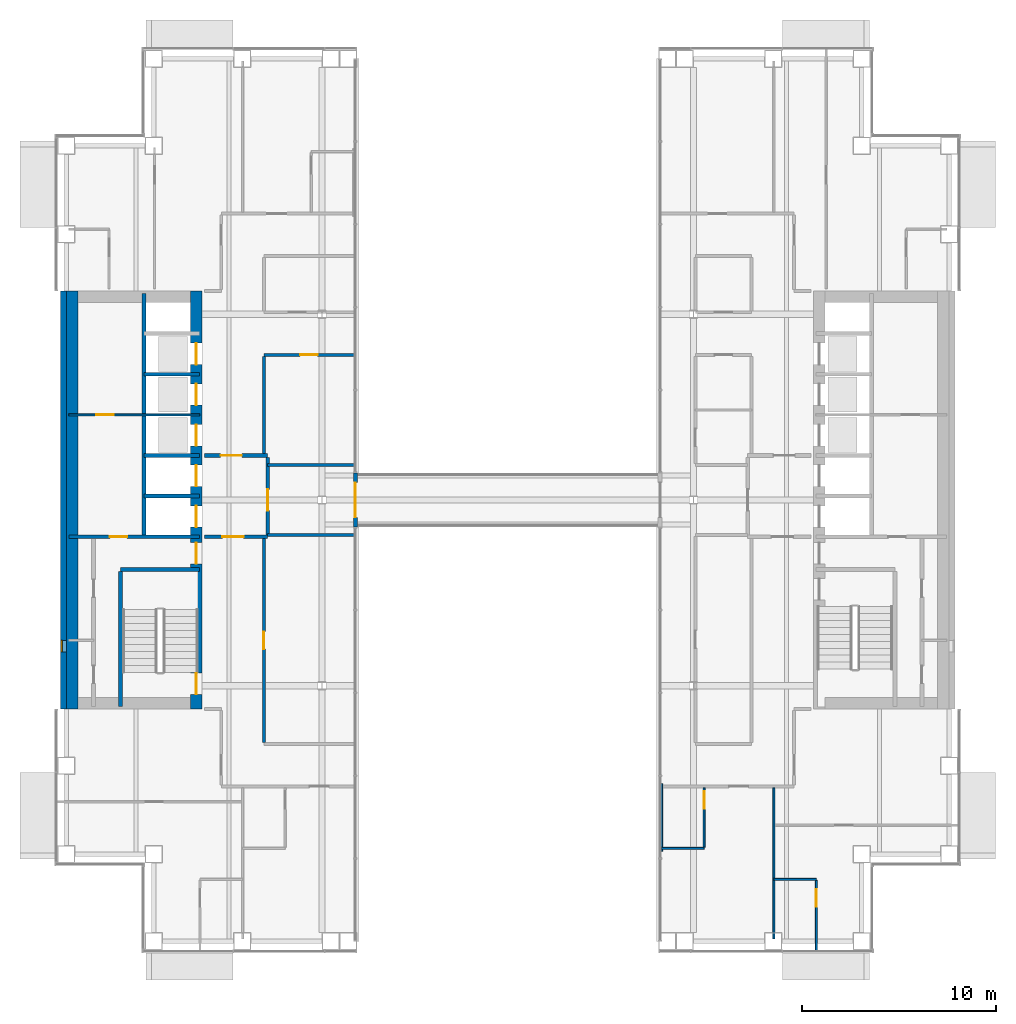
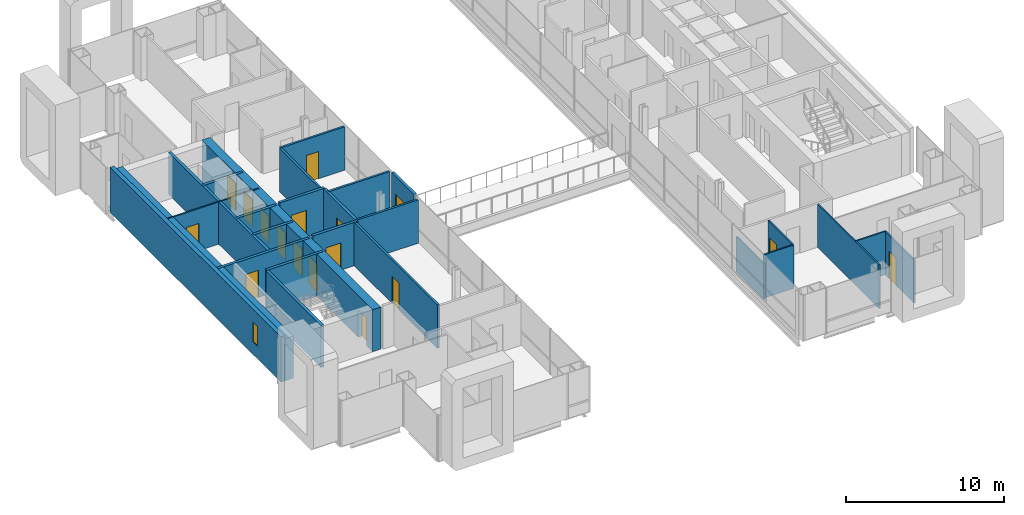
# One storey, part 10 of 17: 27 walls, 17 doors, 1 window, 18 openings.
"""IFC4 building model written with IfcOpenShell, lengths in metres."""

from ifc_helpers import new_model, si_unit, direction, frame, frame_2d, origin, place, context, subcontext, project, spatial, rectangle, extrude, material, layer, layer_set, type_object, element, fill, save


model = new_model("IFC4")

# Units and contexts
model_context = context("Model", 3, precision=1e-05, world=origin(), true_north=direction((0.0, 1.0)))
body_context = subcontext(model_context, "Body", "Model", "MODEL_VIEW")
ifc_project = project(units=[si_unit("LENGTHUNIT", "METRE"), si_unit("AREAUNIT", "SQUARE_METRE"), si_unit("VOLUMEUNIT", "CUBIC_METRE"), si_unit("PLANEANGLEUNIT", "RADIAN"), si_unit("MASSUNIT", "GRAM", prefix="KILO")], contexts=[model_context])

# Site, building, storey
site_placement = place(None, origin())
site = spatial("IfcSite", under=ifc_project, at=site_placement, CompositionType="ELEMENT")
building_placement = place(site_placement, origin())
building = spatial("IfcBuilding", under=site, at=building_placement, Name="Cobrizo Arcos Hotel Tower", CompositionType="ELEMENT")
storey_placement = place(building_placement, frame((0.0, 0.0, 131.0)))
storey = spatial("IfcBuildingStorey", under=building, at=storey_placement, Name="L33", CompositionType="ELEMENT", Elevation=131.0)

# Walls
ifc_material_1 = material(Name="Gypsum board partition")
ifc_layer_1 = layer(ifc_material_1, 0.14990234375)
ifc_layer_set_1 = layer_set([ifc_layer_1], Name="Corridor wall EI 60 150")
wall_type_1 = type_object("IfcWallType", Name="Corridor wall EI 60 150", PredefinedType="PARTITIONING", material=ifc_layer_set_1)
for number, where, z_axis, x_axis, name in (
    (1, (-12.39990234375, -1.800048828125, 0.0), (0.0, 0.0, 1.0), (1.0, 0.0, 0.0), "Partition 021"),
    (2, (-12.39990234375, 1.800048828125, 0.0), (0.0, 0.0, 1.0), (1.0, 0.0, 0.0), "Partition 025"),
):
    element("IfcWall", number, at=place(storey_placement, frame(where, z_axis=z_axis, x_axis=x_axis)), inside=storey, type_object=wall_type_1, Name=name, PredefinedType="PARTITIONING", context=body_context, shape_type="SweptSolid", body=[
        extrude(rectangle(XDim=4.47998046875, YDim=0.14990234375, at=frame_2d((2.239990234375, 0.0))), origin(), (0.0, 0.0, 1.0), 3.35009765625),
    ])

# Wall, opening, door
wall_1_placement = place(storey_placement, frame((-12.60009765625, 7.5, 0.0), z_axis=(0.0, 0.0, 1.0), x_axis=(1.0, 0.0, 0.0)))
wall_1 = element("IfcWall", 3, at=wall_1_placement, inside=storey, type_object=wall_type_1, Name="Partition 036", PredefinedType="PARTITIONING", context=body_context, shape_type="SweptSolid", body=[
    extrude(rectangle(XDim=4.68017578125, YDim=0.14990234375, at=frame_2d((2.340087890625, 0.0))), origin(), (0.0, 0.0, 1.0), 3.35009765625),
])
opening_1_placement = place(wall_1_placement, frame((1.875, 0.0, 0.0)))
opening_1 = element("IfcOpeningElement", 4, at=opening_1_placement, cuts=wall_1, Name="Opening RD-16", PredefinedType="OPENING", context=body_context, shape_type="SweptSolid", body=[
    extrude(rectangle(XDim=0.89990234375, YDim=2.10009765625, at=frame_2d((0.449951171875, 1.050048828125))), frame((0.0, 0.0869140625, 0.0), z_axis=(0.0, -1.0, 0.0), x_axis=(1.0, 0.0, 0.0)), (0.0, 0.0, 1.0), 0.173828125),
])
ifc_material_2 = material(Name="Timber door leaf", Category="wood")
door_type_1 = type_object("IfcDoorType", Name="Room door FD30 900x2100", OperationType="SINGLE_SWING_LEFT", PredefinedType="DOOR", material=ifc_material_2)
door_1_placement = place(opening_1_placement, origin())
door_1 = element("IfcDoor", 5, at=door_1_placement, inside=storey, type_object=door_type_1, Name="Door RD-16", OperationType="SINGLE_SWING_LEFT", OverallHeight=2.10009765625, OverallWidth=0.89990234375, PredefinedType="DOOR", context=body_context, shape_type="SweptSolid", body=[
    extrude(rectangle(XDim=0.89990234375, YDim=2.10009765625, at=frame_2d((0.449951171875, 1.050048828125))), frame((0.0, 0.02490234375, 0.0), z_axis=(0.0, -1.0, 0.0), x_axis=(1.0, 0.0, 0.0)), (0.0, 0.0, 1.0), 0.050048828125),
])
fill(opening_1, door_1)

wall_2_placement = place(storey_placement, frame((-12.60009765625, -12.52490234375, 0.0), z_axis=(0.0, 0.0, 1.0), x_axis=(0.0, 1.0, 0.0)))
wall_2 = element("IfcWall", 6, at=wall_2_placement, inside=storey, type_object=wall_type_1, Name="Partition 064", PredefinedType="PARTITIONING", context=body_context, shape_type="SweptSolid", body=[
    extrude(rectangle(XDim=10.52490234375, YDim=0.14990234375, at=frame_2d((5.262451171875, 0.0))), origin(), (0.0, 0.0, 1.0), 3.35009765625),
])
opening_2_placement = place(wall_2_placement, frame((4.824951171875, 0.0, 0.0)))
opening_2 = element("IfcOpeningElement", 7, at=opening_2_placement, cuts=wall_2, Name="Opening RD-18", PredefinedType="OPENING", context=body_context, shape_type="SweptSolid", body=[
    extrude(rectangle(XDim=0.89990234375, YDim=2.10009765625, at=frame_2d((0.449951171875, 1.050048828125))), frame((0.0, 0.0869140625, 0.0), z_axis=(0.0, -1.0, 0.0), x_axis=(1.0, 0.0, 0.0)), (0.0, 0.0, 1.0), 0.173828125),
])
door_2_placement = place(opening_2_placement, origin())
door_2 = element("IfcDoor", 8, at=door_2_placement, inside=storey, type_object=door_type_1, Name="Door RD-18", OperationType="SINGLE_SWING_RIGHT", OverallHeight=2.10009765625, OverallWidth=0.89990234375, PredefinedType="DOOR", context=body_context, shape_type="SweptSolid", body=[
    extrude(rectangle(XDim=0.89990234375, YDim=2.10009765625, at=frame_2d((0.449951171875, 1.050048828125))), frame((0.0, 0.02490234375, 0.0), z_axis=(0.0, -1.0, 0.0), x_axis=(1.0, 0.0, 0.0)), (0.0, 0.0, 1.0), 0.050048828125),
])
fill(opening_2, door_2)

# Wall
wall_3_placement = place(storey_placement, frame((-12.60009765625, 2.39990234375, 0.0), z_axis=(0.0, 0.0, 1.0), x_axis=(0.0, 1.0, 0.0)))
element("IfcWall", 9, at=wall_3_placement, inside=storey, type_object=wall_type_1, Name="Partition 065", PredefinedType="PARTITIONING", context=body_context, shape_type="SweptSolid", body=[
    extrude(rectangle(XDim=5.025146484375, YDim=0.14990234375, at=frame_2d((2.5126953125, 0.0))), origin(), (0.0, 0.0, 1.0), 3.35009765625),
])

# Wall, opening, window
ifc_material_3 = material(Name="Aluminium composite panel pale metal", Category="aluminium")
ifc_layer_2 = layer(ifc_material_3, 0.300048828125)
ifc_layer_set_2 = layer_set([ifc_layer_2], Name="EW-1 insulated panel wall 300")
wall_type_2 = type_object("IfcWallType", Name="EW-1 insulated panel wall 300", PredefinedType="SOLIDWALL", material=ifc_layer_set_2)
wall_4_placement = place(storey_placement, frame((-22.949951171875, 10.800048828125, 0.0), z_axis=(0.0, 0.0, 1.0), x_axis=(0.0, -1.0, 0.0)))
wall_4 = element("IfcWall", 10, at=wall_4_placement, inside=storey, type_object=wall_type_2, Name="Core face wall L33 W", PredefinedType="SOLIDWALL", context=body_context, shape_type="SweptSolid", body=[
    extrude(rectangle(XDim=21.60009765625, YDim=0.300048828125, at=frame_2d((10.800048828125, 0.0))), origin(), (0.0, 0.0, 1.0), 3.5),
])
opening_3_placement = place(wall_4_placement, frame((18.050048828125, 0.0, 1.0)))
opening_3 = element("IfcOpeningElement", 11, at=opening_3_placement, cuts=wall_4, Name="Opening W-68", PredefinedType="OPENING", context=body_context, shape_type="SweptSolid", body=[
    extrude(rectangle(XDim=0.60009765625, YDim=1.5, at=frame_2d((0.300048828125, 0.75))), frame((0.0, 0.162109375, 0.0), z_axis=(0.0, -1.0, 0.0), x_axis=(1.0, 0.0, 0.0)), (0.0, 0.0, 1.0), 0.323974609375),
])
ifc_material_4 = material(Name="Aluminium 6063-T6 and clear laminated glass", Category="aluminium")
window_type = type_object("IfcWindowType", Name="W-C1 core stair slot window 600x1500", PartitioningType="SINGLE_PANEL", PredefinedType="WINDOW", material=ifc_material_4)
window_placement = place(opening_3_placement, origin())
window = element("IfcWindow", 12, at=window_placement, inside=storey, type_object=window_type, Name="Core face wall L33 W window W-68", OverallHeight=1.5, OverallWidth=0.60009765625, PartitioningType="SINGLE_PANEL", PredefinedType="WINDOW", context=body_context, shape_type="SweptSolid", body=[
    extrude(rectangle(XDim=0.60009765625, YDim=1.5, at=frame_2d((0.300048828125, 0.75))), frame((0.0, -0.06005859375, 0.0), z_axis=(0.0, -1.0, 0.0), x_axis=(1.0, 0.0, 0.0)), (0.0, 0.0, 1.0), 0.06005859375),
])
fill(opening_3, window)

# Wall, opening, door
ifc_material_5 = material(Name="Aluminium 6063-T6 anodised pale", Category="aluminium")
ifc_layer_3 = layer(ifc_material_5, 0.199951171875)
ifc_layer_set_3 = layer_set([ifc_layer_3], Name="EW-4 sky bridge door frame wall")
wall_type_3 = type_object("IfcWallType", Name="EW-4 sky bridge door frame wall", PredefinedType="SOLIDWALL", material=ifc_layer_set_3)
wall_5_placement = place(storey_placement, frame((-7.875, -1.39990234375, 0.0), z_axis=(0.0, 0.0, 1.0), x_axis=(0.0, 1.0, 0.0)))
wall_5 = element("IfcWall", 13, at=wall_5_placement, inside=storey, type_object=wall_type_3, Name="Sky bridge door wall B W", PredefinedType="SOLIDWALL", context=body_context, shape_type="SweptSolid", body=[
    extrude(rectangle(XDim=2.7998046875, YDim=0.199951171875, at=frame_2d((1.39990234375, 0.0))), origin(), (0.0, 0.0, 1.0), 3.5),
])
opening_4_placement = place(wall_5_placement, frame((0.5, 0.0, 0.0)))
opening_4 = element("IfcOpeningElement", 14, at=opening_4_placement, cuts=wall_5, Name="Opening E-53", PredefinedType="OPENING", context=body_context, shape_type="SweptSolid", body=[
    extrude(rectangle(XDim=1.800048828125, YDim=2.10009765625, at=frame_2d((0.89990234375, 1.050048828125))), frame((0.0, 0.112060546875, 0.0), z_axis=(0.0, -1.0, 0.0), x_axis=(1.0, 0.0, 0.0)), (0.0, 0.0, 1.0), 0.223876953125),
])
door_type_2 = type_object("IfcDoorType", Name="D-B1 sky bridge double door 1800x2100", OperationType="DOUBLE_DOOR_DOUBLE_SWING", PredefinedType="DOOR", material=ifc_material_4)
door_3_placement = place(opening_4_placement, origin())
door_3 = element("IfcDoor", 15, at=door_3_placement, inside=storey, type_object=door_type_2, Name="Sky bridge door wall B W door E-53", OperationType="DOUBLE_DOOR_DOUBLE_SWING", OverallHeight=2.10009765625, OverallWidth=1.800048828125, PredefinedType="DOOR", context=body_context, shape_type="SweptSolid", body=[
    extrude(rectangle(XDim=1.800048828125, YDim=2.10009765625, at=frame_2d((0.89990234375, 1.050048828125))), frame((0.0, 0.02490234375, 0.0), z_axis=(0.0, -1.0, 0.0), x_axis=(1.0, 0.0, 0.0)), (0.0, 0.0, 1.0), 0.050048828125),
])
fill(opening_4, door_3)

# Walls
ifc_layer_4 = layer(ifc_material_1, 0.10009765625)
ifc_layer_set_4 = layer_set([ifc_layer_4], Name="Partition EI 30 100")
wall_type_4 = type_object("IfcWallType", Name="Partition EI 30 100", PredefinedType="PARTITIONING", material=ifc_layer_set_4)
for number, where, z_axis, x_axis, name in (
    (16, (13.75, -19.60009765625, 0.0), (0.0, 0.0, 1.0), (1.0, 0.0, 0.0), "Partition 002"),
    (17, (7.949951171875, -18.0, 0.0), (0.0, 0.0, 1.0), (1.0, 0.0, 0.0), "Partition 004"),
):
    element("IfcWall", number, at=place(storey_placement, frame(where, z_axis=z_axis, x_axis=x_axis)), inside=storey, type_object=wall_type_4, Name=name, PredefinedType="PARTITIONING", context=body_context, shape_type="SweptSolid", body=[
        extrude(rectangle(XDim=2.199951171875, YDim=0.10009765625, at=frame_2d((1.10009765625, 0.0))), origin(), (0.0, 0.0, 1.0), 3.35009765625),
    ])

# Wall, opening, door
wall_6_placement = place(storey_placement, frame((-22.679931640625, 4.39990234375, 0.0), z_axis=(0.0, 0.0, 1.0), x_axis=(1.0, 0.0, 0.0)))
wall_6 = element("IfcWall", 18, at=wall_6_placement, inside=storey, type_object=wall_type_4, Name="Partition 031", PredefinedType="PARTITIONING", context=body_context, shape_type="SweptSolid", body=[
    extrude(rectangle(XDim=6.760009765625, YDim=0.10009765625, at=frame_2d((3.3798828125, 0.0))), origin(), (0.0, 0.0, 1.0), 3.25),
])
opening_5_placement = place(wall_6_placement, frame((1.429931640625, 0.0, 0.0)))
opening_5 = element("IfcOpeningElement", 19, at=opening_5_placement, cuts=wall_6, Name="Opening RD-04", PredefinedType="OPENING", context=body_context, shape_type="SweptSolid", body=[
    extrude(rectangle(XDim=0.89990234375, YDim=2.10009765625, at=frame_2d((0.449951171875, 1.050048828125))), frame((0.0, 0.06201171875, 0.0), z_axis=(0.0, -1.0, 0.0), x_axis=(1.0, 0.0, 0.0)), (0.0, 0.0, 1.0), 0.1240234375),
])
door_4_placement = place(opening_5_placement, origin())
door_4 = element("IfcDoor", 20, at=door_4_placement, inside=storey, type_object=door_type_1, Name="Door RD-04", OperationType="SINGLE_SWING_LEFT", OverallHeight=2.10009765625, OverallWidth=0.89990234375, PredefinedType="DOOR", context=body_context, shape_type="SweptSolid", body=[
    extrude(rectangle(XDim=0.89990234375, YDim=2.10009765625, at=frame_2d((0.449951171875, 1.050048828125))), frame((0.0, 0.02490234375, 0.0), z_axis=(0.0, -1.0, 0.0), x_axis=(1.0, 0.0, 0.0)), (0.0, 0.0, 1.0), 0.050048828125),
])
fill(opening_5, door_4)

# Wall
wall_7_placement = place(storey_placement, frame((7.949951171875, -18.139892578125, 0.0), z_axis=(0.0, 0.0, 1.0), x_axis=(0.0, 1.0, 0.0)))
element("IfcWall", 21, at=wall_7_placement, inside=storey, type_object=wall_type_4, Name="Partition 071", PredefinedType="PARTITIONING", context=body_context, shape_type="SweptSolid", body=[
    extrude(rectangle(XDim=3.47998046875, YDim=0.10009765625, at=frame_2d((1.739990234375, 0.0))), origin(), (0.0, 0.0, 1.0), 2.73291015625),
])

# Wall, opening, door
wall_8_placement = place(storey_placement, frame((10.14990234375, -17.949951171875, 0.0), z_axis=(0.0, 0.0, 1.0), x_axis=(0.0, 1.0, 0.0)))
wall_8 = element("IfcWall", 22, at=wall_8_placement, inside=storey, type_object=wall_type_4, Name="Partition 077", PredefinedType="PARTITIONING", context=body_context, shape_type="SweptSolid", body=[
    extrude(rectangle(XDim=3.074951171875, YDim=0.10009765625, at=frame_2d((1.53759765625, 0.0))), origin(), (0.0, 0.0, 1.0), 3.35009765625),
])
opening_6_placement = place(wall_8_placement, frame((1.99609375, 0.0, 0.0)))
opening_6 = element("IfcOpeningElement", 23, at=opening_6_placement, cuts=wall_8, Name="Opening ED-02", PredefinedType="OPENING", context=body_context, shape_type="SweptSolid", body=[
    extrude(rectangle(XDim=0.89990234375, YDim=2.10009765625, at=frame_2d((0.449951171875, 1.050048828125))), frame((0.0, 0.06201171875, 0.0), z_axis=(0.0, -1.0, 0.0), x_axis=(1.0, 0.0, 0.0)), (0.0, 0.0, 1.0), 0.1240234375),
])
door_type_3 = type_object("IfcDoorType", Name="En-suite door 900x2100", OperationType="SINGLE_SWING_LEFT", PredefinedType="DOOR", material=ifc_material_2)
door_5_placement = place(opening_6_placement, origin())
door_5 = element("IfcDoor", 24, at=door_5_placement, inside=storey, type_object=door_type_3, Name="Door ED-02", OperationType="SINGLE_SWING_RIGHT", OverallHeight=2.10009765625, OverallWidth=0.89990234375, PredefinedType="DOOR", context=body_context, shape_type="SweptSolid", body=[
    extrude(rectangle(XDim=0.89990234375, YDim=2.10009765625, at=frame_2d((0.449951171875, 1.050048828125))), frame((0.0, 0.02490234375, 0.0), z_axis=(0.0, -1.0, 0.0), x_axis=(1.0, 0.0, 0.0)), (0.0, 0.0, 1.0), 0.050048828125),
])
fill(opening_6, door_5)

# Wall
wall_9_placement = place(storey_placement, frame((13.75, -22.679931640625, 0.0), z_axis=(0.0, 0.0, 1.0), x_axis=(0.0, 1.0, 0.0)))
element("IfcWall", 25, at=wall_9_placement, inside=storey, type_object=wall_type_4, Name="Partition 082", PredefinedType="PARTITIONING", context=body_context, shape_type="SweptSolid", body=[
    extrude(rectangle(XDim=7.804931640625, YDim=0.10009765625, at=frame_2d((3.90234375, 0.0))), origin(), (0.0, 0.0, 1.0), 3.35009765625),
])

# Wall, opening, door
wall_10_placement = place(storey_placement, frame((15.949951171875, -23.280029296875, 0.0), z_axis=(0.0, 0.0, 1.0), x_axis=(0.0, 1.0, 0.0)))
wall_10 = element("IfcWall", 26, at=wall_10_placement, inside=storey, type_object=wall_type_4, Name="Partition 086", PredefinedType="PARTITIONING", context=body_context, shape_type="SweptSolid", body=[
    extrude(rectangle(XDim=3.630126953125, YDim=0.10009765625, at=frame_2d((1.81494140625, 0.0))), origin(), (0.0, 0.0, 1.0), 3.35009765625),
])
opening_7_placement = place(wall_10_placement, frame((2.27001953125, 0.0, 0.0)))
opening_7 = element("IfcOpeningElement", 27, at=opening_7_placement, cuts=wall_10, Name="Opening ED-06", PredefinedType="OPENING", context=body_context, shape_type="SweptSolid", body=[
    extrude(rectangle(XDim=0.89990234375, YDim=2.10009765625, at=frame_2d((0.449951171875, 1.050048828125))), frame((0.0, 0.06201171875, 0.0), z_axis=(0.0, -1.0, 0.0), x_axis=(1.0, 0.0, 0.0)), (0.0, 0.0, 1.0), 0.1240234375),
])
door_6_placement = place(opening_7_placement, origin())
door_6 = element("IfcDoor", 28, at=door_6_placement, inside=storey, type_object=door_type_3, Name="Door ED-06", OperationType="SINGLE_SWING_RIGHT", OverallHeight=2.10009765625, OverallWidth=0.89990234375, PredefinedType="DOOR", context=body_context, shape_type="SweptSolid", body=[
    extrude(rectangle(XDim=0.89990234375, YDim=2.10009765625, at=frame_2d((0.449951171875, 1.050048828125))), frame((0.0, 0.02490234375, 0.0), z_axis=(0.0, -1.0, 0.0), x_axis=(1.0, 0.0, 0.0)), (0.0, 0.0, 1.0), 0.050048828125),
])
fill(opening_7, door_6)

# Wall, openings, doors
ifc_material_6 = material(Name="Concrete f'c 50 MPa", Category="concrete")
ifc_layer_5 = layer(ifc_material_6, 0.60009765625)
ifc_layer_set_5 = layer_set([ifc_layer_5], Name="RC core wall 600 f'c 50")
wall_type_5 = type_object("IfcWallType", Name="RC core wall 600 f'c 50", PredefinedType="SHEAR", material=ifc_layer_set_5)
wall_11_placement = place(storey_placement, frame((-16.10009765625, -10.800048828125, 0.0), z_axis=(0.0, 0.0, 1.0), x_axis=(0.0, 1.0, 0.0)))
wall_11 = element("IfcWall", 29, at=wall_11_placement, inside=storey, type_object=wall_type_5, Name="Core wall CW2, west core, inner face, L33", PredefinedType="SHEAR", context=body_context, shape_type="SweptSolid", body=[
    extrude(rectangle(XDim=21.60009765625, YDim=0.60009765625, at=frame_2d((10.800048828125, 0.0))), origin(), (0.0, 0.0, 1.0), 3.25),
])
opening_8_placement = place(wall_11_placement, frame((9.39990234375, 0.0, 0.0)))
opening_8 = element("IfcOpeningElement", 30, at=opening_8_placement, cuts=wall_11, Name="Opening LD-01", PredefinedType="OPENING", context=body_context, shape_type="SweptSolid", body=[
    extrude(rectangle(XDim=1.10009765625, YDim=2.10009765625, at=frame_2d((0.550048828125, 1.050048828125))), frame((0.0, 0.31201171875, 0.0), z_axis=(0.0, -1.0, 0.0), x_axis=(1.0, 0.0, 0.0)), (0.0, 0.0, 1.0), 0.6240234375),
])
opening_9_placement = place(wall_11_placement, frame((11.5, 0.0, 0.0)))
opening_9 = element("IfcOpeningElement", 31, at=opening_9_placement, cuts=wall_11, Name="Opening LD-02", PredefinedType="OPENING", context=body_context, shape_type="SweptSolid", body=[
    extrude(rectangle(XDim=1.10009765625, YDim=2.10009765625, at=frame_2d((0.550048828125, 1.050048828125))), frame((0.0, 0.31201171875, 0.0), z_axis=(0.0, -1.0, 0.0), x_axis=(1.0, 0.0, 0.0)), (0.0, 0.0, 1.0), 0.6240234375),
])
opening_10_placement = place(wall_11_placement, frame((13.60009765625, 0.0, 0.0)))
opening_10 = element("IfcOpeningElement", 32, at=opening_10_placement, cuts=wall_11, Name="Opening LD-03", PredefinedType="OPENING", context=body_context, shape_type="SweptSolid", body=[
    extrude(rectangle(XDim=1.10009765625, YDim=2.10009765625, at=frame_2d((0.550048828125, 1.050048828125))), frame((0.0, 0.31201171875, 0.0), z_axis=(0.0, -1.0, 0.0), x_axis=(1.0, 0.0, 0.0)), (0.0, 0.0, 1.0), 0.6240234375),
])
opening_11_placement = place(wall_11_placement, frame((15.699951171875, 0.0, 0.0)))
opening_11 = element("IfcOpeningElement", 33, at=opening_11_placement, cuts=wall_11, Name="Opening LD-04", PredefinedType="OPENING", context=body_context, shape_type="SweptSolid", body=[
    extrude(rectangle(XDim=1.10009765625, YDim=2.10009765625, at=frame_2d((0.550048828125, 1.050048828125))), frame((0.0, 0.31201171875, 0.0), z_axis=(0.0, -1.0, 0.0), x_axis=(1.0, 0.0, 0.0)), (0.0, 0.0, 1.0), 0.6240234375),
])
opening_12_placement = place(wall_11_placement, frame((17.800048828125, 0.0, 0.0)))
opening_12 = element("IfcOpeningElement", 34, at=opening_12_placement, cuts=wall_11, Name="Opening LD-05", PredefinedType="OPENING", context=body_context, shape_type="SweptSolid", body=[
    extrude(rectangle(XDim=1.10009765625, YDim=2.10009765625, at=frame_2d((0.550048828125, 1.050048828125))), frame((0.0, 0.31201171875, 0.0), z_axis=(0.0, -1.0, 0.0), x_axis=(1.0, 0.0, 0.0)), (0.0, 0.0, 1.0), 0.6240234375),
])
opening_13_placement = place(wall_11_placement, frame((0.758056640625, 0.0, 0.0)))
opening_13 = element("IfcOpeningElement", 35, at=opening_13_placement, cuts=wall_11, Name="Opening SD-01", PredefinedType="OPENING", context=body_context, shape_type="SweptSolid", body=[
    extrude(rectangle(XDim=1.10009765625, YDim=2.10009765625, at=frame_2d((0.550048828125, 1.050048828125))), frame((0.0, 0.31201171875, 0.0), z_axis=(0.0, -1.0, 0.0), x_axis=(1.0, 0.0, 0.0)), (0.0, 0.0, 1.0), 0.6240234375),
])
opening_14_placement = place(wall_11_placement, frame((7.5, 0.0, 0.0)))
opening_14 = element("IfcOpeningElement", 36, at=opening_14_placement, cuts=wall_11, Name="Opening FD-01", PredefinedType="OPENING", context=body_context, shape_type="SweptSolid", body=[
    extrude(rectangle(XDim=1.10009765625, YDim=2.10009765625, at=frame_2d((0.550048828125, 1.050048828125))), frame((0.0, 0.31201171875, 0.0), z_axis=(0.0, -1.0, 0.0), x_axis=(1.0, 0.0, 0.0)), (0.0, 0.0, 1.0), 0.6240234375),
])
ifc_material_7 = material(Name="Steel door leaf", Category="steel")
door_type_4 = type_object("IfcDoorType", Name="Fire door FD60 1100x2100", OperationType="SINGLE_SWING_LEFT", PredefinedType="DOOR", material=ifc_material_7)
door_7_placement = place(opening_14_placement, origin())
door_7 = element("IfcDoor", 37, at=door_7_placement, inside=storey, type_object=door_type_4, Name="Door FD-01", OperationType="SINGLE_SWING_RIGHT", OverallHeight=2.10009765625, OverallWidth=1.10009765625, PredefinedType="DOOR", context=body_context, shape_type="SweptSolid", body=[
    extrude(rectangle(XDim=1.10009765625, YDim=2.10009765625, at=frame_2d((0.550048828125, 1.050048828125))), frame((0.0, 0.02490234375, 0.0), z_axis=(0.0, -1.0, 0.0), x_axis=(1.0, 0.0, 0.0)), (0.0, 0.0, 1.0), 0.050048828125),
])
fill(opening_14, door_7)
door_type_5 = type_object("IfcDoorType", Name="Lift landing door 1100x2100", OperationType="SLIDING_TO_LEFT", PredefinedType="DOOR", material=ifc_material_7)
door_8_placement = place(opening_8_placement, origin())
door_8 = element("IfcDoor", 38, at=door_8_placement, inside=storey, type_object=door_type_5, Name="Lift landing door LD-01", OperationType="SLIDING_TO_LEFT", OverallHeight=2.10009765625, OverallWidth=1.10009765625, PredefinedType="DOOR", context=body_context, shape_type="SweptSolid", body=[
    extrude(rectangle(XDim=1.10009765625, YDim=2.10009765625, at=frame_2d((0.550048828125, 1.050048828125))), frame((0.0, 0.02490234375, 0.0), z_axis=(0.0, -1.0, 0.0), x_axis=(1.0, 0.0, 0.0)), (0.0, 0.0, 1.0), 0.050048828125),
])
fill(opening_8, door_8)
door_9_placement = place(opening_9_placement, origin())
door_9 = element("IfcDoor", 39, at=door_9_placement, inside=storey, type_object=door_type_5, Name="Lift landing door LD-02", OperationType="SLIDING_TO_LEFT", OverallHeight=2.10009765625, OverallWidth=1.10009765625, PredefinedType="DOOR", context=body_context, shape_type="SweptSolid", body=[
    extrude(rectangle(XDim=1.10009765625, YDim=2.10009765625, at=frame_2d((0.550048828125, 1.050048828125))), frame((0.0, 0.02490234375, 0.0), z_axis=(0.0, -1.0, 0.0), x_axis=(1.0, 0.0, 0.0)), (0.0, 0.0, 1.0), 0.050048828125),
])
fill(opening_9, door_9)
door_10_placement = place(opening_10_placement, origin())
door_10 = element("IfcDoor", 40, at=door_10_placement, inside=storey, type_object=door_type_5, Name="Lift landing door LD-03", OperationType="SLIDING_TO_LEFT", OverallHeight=2.10009765625, OverallWidth=1.10009765625, PredefinedType="DOOR", context=body_context, shape_type="SweptSolid", body=[
    extrude(rectangle(XDim=1.10009765625, YDim=2.10009765625, at=frame_2d((0.550048828125, 1.050048828125))), frame((0.0, 0.02490234375, 0.0), z_axis=(0.0, -1.0, 0.0), x_axis=(1.0, 0.0, 0.0)), (0.0, 0.0, 1.0), 0.050048828125),
])
fill(opening_10, door_10)
door_11_placement = place(opening_11_placement, origin())
door_11 = element("IfcDoor", 41, at=door_11_placement, inside=storey, type_object=door_type_5, Name="Lift landing door LD-04", OperationType="SLIDING_TO_LEFT", OverallHeight=2.10009765625, OverallWidth=1.10009765625, PredefinedType="DOOR", context=body_context, shape_type="SweptSolid", body=[
    extrude(rectangle(XDim=1.10009765625, YDim=2.10009765625, at=frame_2d((0.550048828125, 1.050048828125))), frame((0.0, 0.02490234375, 0.0), z_axis=(0.0, -1.0, 0.0), x_axis=(1.0, 0.0, 0.0)), (0.0, 0.0, 1.0), 0.050048828125),
])
fill(opening_11, door_11)
door_12_placement = place(opening_12_placement, origin())
door_12 = element("IfcDoor", 42, at=door_12_placement, inside=storey, type_object=door_type_5, Name="Lift landing door LD-05", OperationType="SLIDING_TO_LEFT", OverallHeight=2.10009765625, OverallWidth=1.10009765625, PredefinedType="DOOR", context=body_context, shape_type="SweptSolid", body=[
    extrude(rectangle(XDim=1.10009765625, YDim=2.10009765625, at=frame_2d((0.550048828125, 1.050048828125))), frame((0.0, 0.02490234375, 0.0), z_axis=(0.0, -1.0, 0.0), x_axis=(1.0, 0.0, 0.0)), (0.0, 0.0, 1.0), 0.050048828125),
])
fill(opening_12, door_12)
door_type_6 = type_object("IfcDoorType", Name="Stair door FD60S 1100x2100", OperationType="SINGLE_SWING_LEFT", PredefinedType="DOOR", material=ifc_material_7)
door_13_placement = place(opening_13_placement, origin())
door_13 = element("IfcDoor", 43, at=door_13_placement, inside=storey, type_object=door_type_6, Name="Door SD-01", OperationType="SINGLE_SWING_RIGHT", OverallHeight=2.10009765625, OverallWidth=1.10009765625, PredefinedType="DOOR", context=body_context, shape_type="SweptSolid", body=[
    extrude(rectangle(XDim=1.10009765625, YDim=2.10009765625, at=frame_2d((0.550048828125, 1.050048828125))), frame((0.0, 0.02490234375, 0.0), z_axis=(0.0, -1.0, 0.0), x_axis=(1.0, 0.0, 0.0)), (0.0, 0.0, 1.0), 0.050048828125),
])
fill(opening_13, door_13)

# Wall
wall_12_placement = place(storey_placement, frame((-22.5, -10.800048828125, 0.0), z_axis=(0.0, 0.0, 1.0), x_axis=(0.0, 1.0, 0.0)))
element("IfcWall", 44, at=wall_12_placement, inside=storey, type_object=wall_type_5, Name="Core wall CW2, west core, outer face, L33", PredefinedType="SHEAR", context=body_context, shape_type="SweptSolid", body=[
    extrude(rectangle(XDim=21.60009765625, YDim=0.60009765625, at=frame_2d((10.800048828125, 0.0))), origin(), (0.0, 0.0, 1.0), 3.25),
])

# Wall, opening, door
ifc_layer_6 = layer(ifc_material_1, 0.199951171875)
ifc_layer_set_6 = layer_set([ifc_layer_6], Name="Shaft wall EI 120 200")
wall_type_6 = type_object("IfcWallType", Name="Shaft wall EI 120 200", PredefinedType="PARTITIONING", material=ifc_layer_set_6)
wall_13_placement = place(storey_placement, frame((-22.679931640625, -1.89990234375, 0.0), z_axis=(0.0, 0.0, 1.0), x_axis=(1.0, 0.0, 0.0)))
wall_13 = element("IfcWall", 45, at=wall_13_placement, inside=storey, type_object=wall_type_6, Name="Partition 017", PredefinedType="PARTITIONING", context=body_context, shape_type="SweptSolid", body=[
    extrude(rectangle(XDim=6.760009765625, YDim=0.199951171875, at=frame_2d((3.3798828125, 0.0))), origin(), (0.0, 0.0, 1.0), 3.25),
])
opening_15_placement = place(wall_13_placement, frame((2.1201171875, 0.0, 0.0)))
opening_15 = element("IfcOpeningElement", 46, at=opening_15_placement, cuts=wall_13, Name="Opening RD-03", PredefinedType="OPENING", context=body_context, shape_type="SweptSolid", body=[
    extrude(rectangle(XDim=0.89990234375, YDim=2.10009765625, at=frame_2d((0.449951171875, 1.050048828125))), frame((0.0, 0.112060546875, 0.0), z_axis=(0.0, -1.0, 0.0), x_axis=(1.0, 0.0, 0.0)), (0.0, 0.0, 1.0), 0.223876953125),
])
door_14_placement = place(opening_15_placement, origin())
door_14 = element("IfcDoor", 47, at=door_14_placement, inside=storey, type_object=door_type_1, Name="Door RD-03", OperationType="SINGLE_SWING_RIGHT", OverallHeight=2.10009765625, OverallWidth=0.89990234375, PredefinedType="DOOR", context=body_context, shape_type="SweptSolid", body=[
    extrude(rectangle(XDim=0.89990234375, YDim=2.10009765625, at=frame_2d((0.449951171875, 1.050048828125))), frame((0.0, 0.02490234375, 0.0), z_axis=(0.0, -1.0, 0.0), x_axis=(1.0, 0.0, 0.0)), (0.0, 0.0, 1.0), 0.050048828125),
])
fill(opening_15, door_14)

wall_14_placement = place(storey_placement, frame((-15.679931640625, -1.89990234375, 0.0), z_axis=(0.0, 0.0, 1.0), x_axis=(1.0, 0.0, 0.0)))
wall_14 = element("IfcWall", 48, at=wall_14_placement, inside=storey, type_object=wall_type_6, Name="Partition 018", PredefinedType="PARTITIONING", context=body_context, shape_type="SweptSolid", body=[
    extrude(rectangle(XDim=3.280029296875, YDim=0.199951171875, at=frame_2d((1.64013671875, 0.0))), origin(), (0.0, 0.0, 1.0), 3.35009765625),
])
opening_16_placement = place(wall_14_placement, frame((0.93994140625, 0.0, 0.0)))
opening_16 = element("IfcOpeningElement", 49, at=opening_16_placement, cuts=wall_14, Name="Opening FD-03", PredefinedType="OPENING", context=body_context, shape_type="SweptSolid", body=[
    extrude(rectangle(XDim=1.10009765625, YDim=2.10009765625, at=frame_2d((0.550048828125, 1.050048828125))), frame((0.0, 0.112060546875, 0.0), z_axis=(0.0, -1.0, 0.0), x_axis=(1.0, 0.0, 0.0)), (0.0, 0.0, 1.0), 0.223876953125),
])
door_15_placement = place(opening_16_placement, origin())
door_15 = element("IfcDoor", 50, at=door_15_placement, inside=storey, type_object=door_type_4, Name="Door FD-03", OperationType="SINGLE_SWING_RIGHT", OverallHeight=2.10009765625, OverallWidth=1.10009765625, PredefinedType="DOOR", context=body_context, shape_type="SweptSolid", body=[
    extrude(rectangle(XDim=1.10009765625, YDim=2.10009765625, at=frame_2d((0.550048828125, 1.050048828125))), frame((0.0, 0.02490234375, 0.0), z_axis=(0.0, -1.0, 0.0), x_axis=(1.0, 0.0, 0.0)), (0.0, 0.0, 1.0), 0.050048828125),
])
fill(opening_16, door_15)

# Walls
for number, where, z_axis, x_axis, name in (
    (51, (-18.800048828125, 0.199951171875, 0.0), (0.0, 0.0, 1.0), (1.0, 0.0, 0.0), "Partition 023"),
    (52, (-18.800048828125, 2.300048828125, 0.0), (0.0, 0.0, 1.0), (1.0, 0.0, 0.0), "Partition 027"),
):
    element("IfcWall", number, at=place(storey_placement, frame(where, z_axis=z_axis, x_axis=x_axis)), inside=storey, type_object=wall_type_6, Name=name, PredefinedType="PARTITIONING", context=body_context, shape_type="SweptSolid", body=[
        extrude(rectangle(XDim=2.880126953125, YDim=0.199951171875, at=frame_2d((1.43994140625, 0.0))), origin(), (0.0, 0.0, 1.0), 3.25),
    ])

# Wall, opening, door
wall_15_placement = place(storey_placement, frame((-15.679931640625, 2.300048828125, 0.0), z_axis=(0.0, 0.0, 1.0), x_axis=(1.0, 0.0, 0.0)))
wall_15 = element("IfcWall", 53, at=wall_15_placement, inside=storey, type_object=wall_type_6, Name="Partition 028", PredefinedType="PARTITIONING", context=body_context, shape_type="SweptSolid", body=[
    extrude(rectangle(XDim=3.280029296875, YDim=0.199951171875, at=frame_2d((1.64013671875, 0.0))), origin(), (0.0, 0.0, 1.0), 3.35009765625),
])
opening_17_placement = place(wall_15_placement, frame((0.840087890625, 0.0, 0.0)))
opening_17 = element("IfcOpeningElement", 54, at=opening_17_placement, cuts=wall_15, Name="Opening FD-04", PredefinedType="OPENING", context=body_context, shape_type="SweptSolid", body=[
    extrude(rectangle(XDim=1.10009765625, YDim=2.10009765625, at=frame_2d((0.550048828125, 1.050048828125))), frame((0.0, 0.112060546875, 0.0), z_axis=(0.0, -1.0, 0.0), x_axis=(1.0, 0.0, 0.0)), (0.0, 0.0, 1.0), 0.223876953125),
])
door_16_placement = place(opening_17_placement, origin())
door_16 = element("IfcDoor", 55, at=door_16_placement, inside=storey, type_object=door_type_4, Name="Door FD-04", OperationType="SINGLE_SWING_LEFT", OverallHeight=2.10009765625, OverallWidth=1.10009765625, PredefinedType="DOOR", context=body_context, shape_type="SweptSolid", body=[
    extrude(rectangle(XDim=1.10009765625, YDim=2.10009765625, at=frame_2d((0.550048828125, 1.050048828125))), frame((0.0, 0.02490234375, 0.0), z_axis=(0.0, -1.0, 0.0), x_axis=(1.0, 0.0, 0.0)), (0.0, 0.0, 1.0), 0.050048828125),
])
fill(opening_17, door_16)

# Walls
wall_16_placement = place(storey_placement, frame((-18.800048828125, 6.5, 0.0), z_axis=(0.0, 0.0, 1.0), x_axis=(1.0, 0.0, 0.0)))
element("IfcWall", 56, at=wall_16_placement, inside=storey, type_object=wall_type_6, Name="Partition 034", PredefinedType="PARTITIONING", context=body_context, shape_type="SweptSolid", body=[
    extrude(rectangle(XDim=2.880126953125, YDim=0.199951171875, at=frame_2d((1.43994140625, 0.0))), origin(), (0.0, 0.0, 1.0), 3.25),
])
wall_17_placement = place(storey_placement, frame((-18.800048828125, -1.800048828125, 0.0), z_axis=(0.0, 0.0, 1.0), x_axis=(0.0, 1.0, 0.0)))
element("IfcWall", 57, at=wall_17_placement, inside=storey, type_object=wall_type_6, Name="Partition 056", PredefinedType="PARTITIONING", context=body_context, shape_type="SweptSolid", body=[
    extrude(rectangle(XDim=6.150146484375, YDim=0.199951171875, at=frame_2d((3.0751953125, 0.0))), origin(), (0.0, 0.0, 1.0), 3.25),
])
wall_18_placement = place(storey_placement, frame((-18.800048828125, 4.449951171875, 0.0), z_axis=(0.0, 0.0, 1.0), x_axis=(0.0, 1.0, 0.0)))
element("IfcWall", 58, at=wall_18_placement, inside=storey, type_object=wall_type_6, Name="Partition 057", PredefinedType="PARTITIONING", context=body_context, shape_type="SweptSolid", body=[
    extrude(rectangle(XDim=6.22998046875, YDim=0.199951171875, at=frame_2d((3.114990234375, 0.0))), origin(), (0.0, 0.0, 1.0), 3.25),
])

# Wall, opening, door
wall_19_placement = place(storey_placement, frame((-12.39990234375, -1.800048828125, 0.0), z_axis=(0.0, 0.0, 1.0), x_axis=(0.0, 1.0, 0.0)))
wall_19 = element("IfcWall", 59, at=wall_19_placement, inside=storey, type_object=wall_type_6, Name="Partition 067", PredefinedType="PARTITIONING", context=body_context, shape_type="SweptSolid", body=[
    extrude(rectangle(XDim=4.0, YDim=0.199951171875, at=frame_2d((2.0, 0.0))), origin(), (0.0, 0.0, 1.0), 3.35009765625),
])
opening_18_placement = place(wall_19_placement, frame((1.25, 0.0, 0.0)))
opening_18 = element("IfcOpeningElement", 60, at=opening_18_placement, cuts=wall_19, Name="Opening FD-02", PredefinedType="OPENING", context=body_context, shape_type="SweptSolid", body=[
    extrude(rectangle(XDim=1.10009765625, YDim=2.10009765625, at=frame_2d((0.550048828125, 1.050048828125))), frame((0.0, 0.112060546875, 0.0), z_axis=(0.0, -1.0, 0.0), x_axis=(1.0, 0.0, 0.0)), (0.0, 0.0, 1.0), 0.223876953125),
])
door_17_placement = place(opening_18_placement, origin())
door_17 = element("IfcDoor", 61, at=door_17_placement, inside=storey, type_object=door_type_4, Name="Door FD-02", OperationType="SINGLE_SWING_RIGHT", OverallHeight=2.10009765625, OverallWidth=1.10009765625, PredefinedType="DOOR", context=body_context, shape_type="SweptSolid", body=[
    extrude(rectangle(XDim=1.10009765625, YDim=2.10009765625, at=frame_2d((0.550048828125, 1.050048828125))), frame((0.0, 0.02490234375, 0.0), z_axis=(0.0, -1.0, 0.0), x_axis=(1.0, 0.0, 0.0)), (0.0, 0.0, 1.0), 0.050048828125),
])
fill(opening_18, door_17)

# Walls
ifc_material_8 = material(Name="Concrete f'c 40 MPa", Category="concrete")
ifc_layer_7 = layer(ifc_material_8, 0.199951171875)
ifc_layer_set_7 = layer_set([ifc_layer_7], Name="Stair shaft wall 200")
wall_type_7 = type_object("IfcWallType", Name="Stair shaft wall 200", PredefinedType="SHEAR", material=ifc_layer_set_7)
wall_20_placement = place(storey_placement, frame((-20.0, -3.60009765625, 0.0), z_axis=(0.0, 0.0, 1.0), x_axis=(1.0, 0.0, 0.0)))
element("IfcWall", 62, at=wall_20_placement, inside=storey, type_object=wall_type_7, Name="Stair shaft wall W", PredefinedType="SHEAR", context=body_context, shape_type="SweptSolid", body=[
    extrude(rectangle(XDim=4.080078125, YDim=0.199951171875, at=frame_2d((2.0400390625, 0.0))), origin(), (0.0, 0.0, 1.0), 3.25),
])
wall_21_placement = place(storey_placement, frame((-20.0, -10.679931640625, 0.0), z_axis=(0.0, 0.0, 1.0), x_axis=(0.0, 1.0, 0.0)))
element("IfcWall", 63, at=wall_21_placement, inside=storey, type_object=wall_type_7, Name="Stair shaft wall W", PredefinedType="SHEAR", context=body_context, shape_type="SweptSolid", body=[
    extrude(rectangle(XDim=6.97998046875, YDim=0.199951171875, at=frame_2d((3.489990234375, 0.0))), origin(), (0.0, 0.0, 1.0), 3.25),
])

save(model, "model.ifc")
